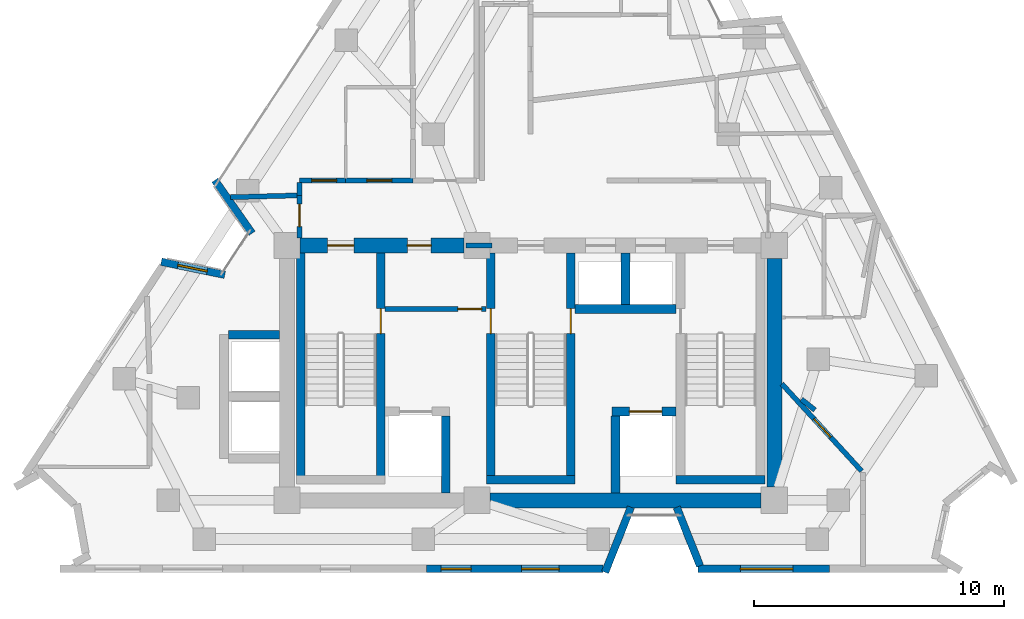
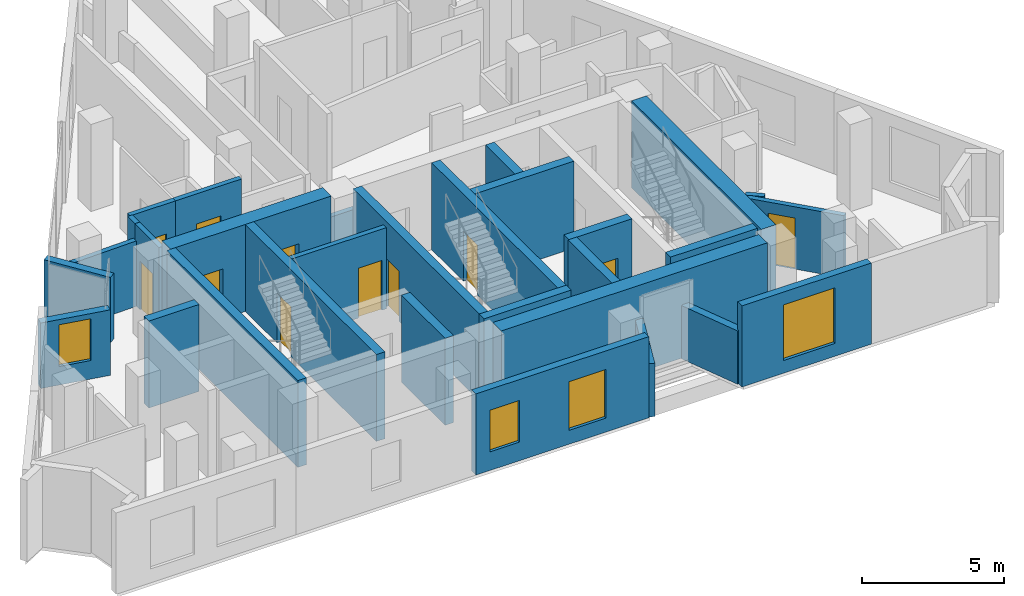
# One storey, part 5 of 9: 30 walls, 11 doors, 4 windows, 15 openings.
"""IFC4 building model written with IfcOpenShell, lengths in metres."""

import ifcopenshell
import ifcopenshell.guid

model = None  # the IFC model being written
_history = None  # IfcOwnerHistory: only IFC2X3 demands one
_inside = {}  # id of a spatial element -> (the spatial element, [elements in it])
_under = {}  # id of a project, library or spatial element -> (it, [spatial elements below it])
_declared = {}  # id of a project -> (the project, [libraries it declares])
_typed = {}  # id of a type object -> (the type object, [elements of that type])
_made_of = {}  # id of a material, layer set ... -> (it, [elements and type objects made of it])


def new_model(schema):
    """Start an empty IFC model of exactly this schema.

    Asked for "IFC4X3", IfcOpenShell would pick the latest addendum, in which some entities
    have other attributes; the version numbers below select the first issue.
    IFC2X3 requires an IfcOwnerHistory on every rooted entity: one is made here for all.
    """
    global model, _history
    if schema == "IFC4X3":
        model = ifcopenshell.file(schema_version=(4, 3, 0, 0))
    else:
        model = ifcopenshell.file(schema=schema)
    _inside.clear()
    _under.clear()
    _declared.clear()
    _typed.clear()
    _made_of.clear()
    _history = None
    if model.schema == "IFC2X3":
        org = make("IfcOrganization", Name="unknown")
        user = make(
            "IfcPersonAndOrganization",
            ThePerson=make("IfcPerson", FamilyName="unknown"),
            TheOrganization=org,
        )
        app = make(
            "IfcApplication",
            ApplicationDeveloper=org,
            Version="unknown",
            ApplicationFullName="unknown",
            ApplicationIdentifier="unknown",
        )
        _history = make(
            "IfcOwnerHistory",
            OwningUser=user,
            OwningApplication=app,
            ChangeAction="ADDED",
            CreationDate=0,
        )
    return model


def make(cls, **values):
    """One entity of the class cls with the attributes given. An attribute that is None is left unset."""
    return model.create_entity(
        cls, **{name: value for name, value in values.items() if value is not None}
    )


def rooted(cls, **values):
    """An entity with a GlobalId (a new one), such as an element, a storey or a relation."""
    return make(cls, GlobalId=ifcopenshell.guid.new(), OwnerHistory=_history, **values)


def si_unit(unit_type, name, prefix=None):
    """IfcSIUnit, for example si_unit("LENGTHUNIT", "METRE", prefix="MILLI")."""
    return make("IfcSIUnit", UnitType=unit_type, Prefix=prefix, Name=name)


def assignment(units):
    """IfcUnitAssignment: the units of a project."""
    return None if units is None else make("IfcUnitAssignment", Units=units)


def point(xyz):
    """IfcCartesianPoint."""
    return None if xyz is None else make("IfcCartesianPoint", Coordinates=xyz)


def direction(xyz):
    """IfcDirection."""
    return None if xyz is None else make("IfcDirection", DirectionRatios=xyz)


def frame(location, z_axis=None, x_axis=None):
    """IfcAxis2Placement3D, a coordinate frame: its origin and axes. An axis left out is left unset."""
    return make(
        "IfcAxis2Placement3D",
        Location=point(location),
        Axis=direction(z_axis),
        RefDirection=direction(x_axis),
    )


def frame_2d(location, x_axis=None):
    """IfcAxis2Placement2D, a coordinate frame in the plane: its origin and x axis."""
    return make(
        "IfcAxis2Placement2D", Location=point(location), RefDirection=direction(x_axis)
    )


def origin():
    """The frame at (0, 0, 0) with its axes left unset."""
    return frame((0.0, 0.0, 0.0))


def place(relative_to, where):
    """IfcLocalPlacement: puts the frame where relative to a parent placement (None: the world)."""
    return make(
        "IfcLocalPlacement", PlacementRelTo=relative_to, RelativePlacement=where
    )


def context(
    kind, dimensions, precision=None, world=None, true_north=None, identifier=None
):
    """IfcGeometricRepresentationContext, for example the 3D "Model" context."""
    return make(
        "IfcGeometricRepresentationContext",
        ContextIdentifier=identifier,
        ContextType=kind,
        CoordinateSpaceDimension=dimensions,
        Precision=precision,
        WorldCoordinateSystem=world,
        TrueNorth=true_north,
    )


def subcontext(parent, identifier, kind, view, scale=None):
    """IfcGeometricRepresentationSubContext, for example "Body" below "Model"."""
    return make(
        "IfcGeometricRepresentationSubContext",
        ContextIdentifier=identifier,
        ContextType=kind,
        ParentContext=parent,
        TargetScale=scale,
        TargetView=view,
    )


def project(units=None, contexts=None):
    """IfcProject with its units and contexts."""
    return rooted(
        "IfcProject",
        Name="project",
        RepresentationContexts=contexts,
        UnitsInContext=assignment(units),
    )


def spatial(cls, under=None, at=None, **own):
    """A site, building, storey or space (cls), placed at a placement, below another one or the project."""
    s = rooted(cls, ObjectPlacement=at, **own)
    if under is not None:
        _under.setdefault(under.id(), (under, []))[1].append(s)
    return s


def profile(cls, at=None, kind="AREA", **sizes):
    """A parametric profile (cls). Its sizes go by their IFC names, for example OverallWidth=200.0."""
    return make(cls, ProfileType=kind, Position=at, **sizes)


def rectangle(**sizes):
    """IfcRectangleProfileDef."""
    return profile("IfcRectangleProfileDef", **sizes)


def extrude(swept, where, along, depth):
    """IfcExtrudedAreaSolid: the profile swept, set in the frame where, extruded along a direction by depth."""
    return make(
        "IfcExtrudedAreaSolid",
        SweptArea=swept,
        Position=where,
        ExtrudedDirection=direction(along),
        Depth=depth,
    )


def shape(context_of_items, identifier, shape_type, items):
    """IfcShapeRepresentation: the items that make up one representation, for example the "Body"."""
    return make(
        "IfcShapeRepresentation",
        ContextOfItems=context_of_items,
        RepresentationIdentifier=identifier,
        RepresentationType=shape_type,
        Items=items,
    )


def material(Name=None, Category=None):
    """IfcMaterial."""
    return make("IfcMaterial", Name=Name, Category=Category)


def layer(
    of_material, thickness, ventilated=None, Name=None, Category=None, Priority=None
):
    """IfcMaterialLayer: one layer of a wall or slab, of a material (None: an air gap)."""
    return make(
        "IfcMaterialLayer",
        Material=of_material,
        LayerThickness=thickness,
        IsVentilated=ventilated,
        Name=Name,
        Category=Category,
        Priority=Priority,
    )


def layer_set(layers, Name=None):
    """IfcMaterialLayerSet."""
    return make("IfcMaterialLayerSet", MaterialLayers=layers, LayerSetName=Name)


def made_of(thing, what):
    """Note that an element or type object is made of a material, layer set ...; save() writes the relation."""
    if what is not None:
        _made_of.setdefault(what.id(), (what, []))[1].append(thing)
    return thing


def type_object(cls, material=None, **own):
    """A type object (cls), such as IfcWallType, which elements share."""
    return made_of(rooted(cls, **own), material)


def element(
    cls,
    number,
    at=None,
    inside=None,
    cuts=None,
    type_object=None,
    material=None,
    context=None,
    identifier="Body",
    shape_type=None,
    held_by="IfcProductDefinitionShape",
    body=None,
    shapes=None,
    **own,
):
    """One element of the class cls, such as IfcWall. Its Tag is "e" and its number.

    at: its placement. inside: the storey or other place that contains it. cuts: it is an
    opening in that element (IfcRelVoidsElement). A single representation is given by context,
    identifier, shape_type and body (its items); several are given by shapes. held_by: the class
    of the entity that holds the representations. save() writes the other relations.
    """
    e = rooted(cls, Tag="e%d" % number, ObjectPlacement=at, **own)
    if body is not None:
        shapes = [shape(context, identifier, shape_type, body)]
    if shapes is not None:
        e.Representation = make(held_by, Representations=shapes)
    if inside is not None:
        _inside.setdefault(inside.id(), (inside, []))[1].append(e)
    if cuts is not None:
        rooted(
            "IfcRelVoidsElement", RelatingBuildingElement=cuts, RelatedOpeningElement=e
        )
    if type_object is not None:
        _typed.setdefault(type_object.id(), (type_object, []))[1].append(e)
    return made_of(e, material)


def fill(opening, filler):
    """IfcRelFillsElement: the door or window that sits in an opening."""
    return rooted(
        "IfcRelFillsElement",
        RelatingOpeningElement=opening,
        RelatedBuildingElement=filler,
    )


def aggregate(whole, parts):
    """IfcRelAggregates: a whole, such as a stair, and the parts it consists of."""
    return rooted("IfcRelAggregates", RelatingObject=whole, RelatedObjects=parts)


def save(model, path):
    """Write the relations noted so far, then the file.

    IfcRelAggregates (storeys below a building ...), IfcRelContainedInSpatialStructure (elements
    in a storey), IfcRelDefinesByType, IfcRelAssociatesMaterial and IfcRelDeclares: one each for
    every whole, place, type object, material and project.
    """
    for whole, parts in _under.values():
        aggregate(whole, parts)
    for where, things in _inside.values():
        rooted(
            "IfcRelContainedInSpatialStructure",
            RelatedElements=things,
            RelatingStructure=where,
        )
    for kind, things in _typed.values():
        rooted("IfcRelDefinesByType", RelatedObjects=things, RelatingType=kind)
    for what, things in _made_of.values():
        rooted("IfcRelAssociatesMaterial", RelatedObjects=things, RelatingMaterial=what)
    for by, libraries in _declared.values():
        rooted("IfcRelDeclares", RelatingContext=by, RelatedDefinitions=libraries)
    model.write(path)


model = new_model("IFC4")

# Units and contexts
model_context = context("Model", 3, precision=1e-05, world=origin(), true_north=direction((0.0, 1.0)))
body_context = subcontext(model_context, "Body", "Model", "MODEL_VIEW")
ifc_project = project(units=[si_unit("LENGTHUNIT", "METRE"), si_unit("AREAUNIT", "SQUARE_METRE"), si_unit("VOLUMEUNIT", "CUBIC_METRE"), si_unit("PLANEANGLEUNIT", "RADIAN"), si_unit("MASSUNIT", "GRAM", prefix="KILO")], contexts=[model_context])

# Site, building, storey
site_placement = place(None, origin())
site = spatial("IfcSite", under=ifc_project, at=site_placement, CompositionType="ELEMENT")
building_placement = place(site_placement, origin())
building = spatial("IfcBuilding", under=site, at=building_placement, Name="Almagre Mirador Tower", CompositionType="ELEMENT")
storey_placement = place(building_placement, frame((0.0, 0.0, 248.25)))
storey = spatial("IfcBuildingStorey", under=building, at=storey_placement, Name="L64", CompositionType="ELEMENT", Elevation=248.25)

# Wall, opening, window
ifc_material_1 = material(Name="Precast concrete C50/60", Category="concrete")
ifc_layer_1 = layer(ifc_material_1, 0.300048828125)
ifc_layer_set_1 = layer_set([ifc_layer_1], Name="Precast concrete C50/60")
wall_type_1 = type_object("IfcWallType", Name="WAL-EXT-300", PredefinedType="SOLIDWALL", material=ifc_layer_set_1)
wall_1_placement = place(storey_placement, frame((22.52099609375, 14.09423828125, 0.0), z_axis=(0.0, 0.0, 1.0), x_axis=(0.979494216194, -0.20147228207, 0.0)))
wall_1 = element("IfcWall", 1, at=wall_1_placement, inside=storey, type_object=wall_type_1, Name="L64 expressed almagre precast frame wall 01", PredefinedType="SOLIDWALL", context=body_context, shape_type="SweptSolid", body=[
    extrude(rectangle(XDim=2.59326171875, YDim=0.300048828125, at=frame_2d((1.296630859375, 0.0))), origin(), (0.0, 0.0, 1.0), 2.824951171875),
])
opening_1_placement = place(wall_1_placement, frame((0.675048828125, 0.0, 0.800048828125)))
opening_1 = element("IfcOpeningElement", 2, at=opening_1_placement, cuts=wall_1, Name="Opening WN-04", PredefinedType="OPENING", context=body_context, shape_type="SweptSolid", body=[
    extrude(rectangle(XDim=1.199951171875, YDim=1.800048828125, at=frame_2d((0.60009765625, 0.89990234375))), frame((0.0, 0.159902, 0.0), z_axis=(0.0, -1.0, 0.0), x_axis=(1.0, 0.0, 0.0)), (0.0, 0.0, 1.0), 0.320049),
])
ifc_material_2 = material(Name="Dark solar-control laminated hurricane glass", Category="glass")
window_type_1 = type_object("IfcWindowType", Name="WIN-1200X1800", PartitioningType="SINGLE_PANEL", PredefinedType="WINDOW", material=ifc_material_2)
window_1_placement = place(opening_1_placement, origin())
window_1 = element("IfcWindow", 3, at=window_1_placement, inside=storey, type_object=window_type_1, Name="L64 recessed hurricane window L64-RST-B", OverallHeight=1.800048828125, OverallWidth=1.199951171875, PartitioningType="SINGLE_PANEL", PredefinedType="WINDOW", context=body_context, shape_type="SweptSolid", body=[
    extrude(rectangle(XDim=1.199951171875, YDim=1.800048828125, at=frame_2d((0.60009765625, 0.89990234375))), frame((0.0, 0.030029296875, 0.0), z_axis=(0.0, -1.0, 0.0), x_axis=(1.0, 0.0, 0.0)), (0.0, 0.0, 1.0), 0.06005859375),
])
fill(opening_1, window_1)

# Wall
wall_2_placement = place(storey_placement, frame((26.1513671875, 15.232421875, 0.0), z_axis=(0.0, 0.0, 1.0), x_axis=(-0.573607655321, 0.819130183644, 0.0)))
element("IfcWall", 4, at=wall_2_placement, inside=storey, type_object=wall_type_1, Name="L64 expressed almagre precast frame wall 02", PredefinedType="SOLIDWALL", context=body_context, shape_type="SweptSolid", body=[
    extrude(rectangle(XDim=2.59326171875, YDim=0.300048828125, at=frame_2d((1.296630859375, 0.0))), origin(), (0.0, 0.0, 1.0), 2.824951171875),
])

# Wall, opening, window
wall_3_placement = place(storey_placement, frame((49.263916015625, 1.800048828125, 0.0), z_axis=(0.0, 0.0, 1.0), x_axis=(-1.0, 0.0, 0.0)))
wall_3 = element("IfcWall", 5, at=wall_3_placement, inside=storey, type_object=wall_type_1, Name="L64 expressed almagre precast frame wall 21", PredefinedType="SOLIDWALL", context=body_context, shape_type="SweptSolid", body=[
    extrude(rectangle(XDim=5.27587890625, YDim=0.300048828125, at=frame_2d((2.637939453125, 0.0))), origin(), (0.0, 0.0, 1.0), 3.5),
])
opening_2_placement = place(wall_3_placement, frame((1.47509765625, 0.0, 0.550048828125)))
opening_2 = element("IfcOpeningElement", 6, at=opening_2_placement, cuts=wall_3, Name="Opening WN-05", PredefinedType="OPENING", context=body_context, shape_type="SweptSolid", body=[
    extrude(rectangle(XDim=2.10009765625, YDim=2.39990234375, at=frame_2d((1.050048828125, 1.199951171875))), frame((0.0, 0.159902, 0.0), z_axis=(0.0, -1.0, 0.0), x_axis=(1.0, 0.0, 0.0)), (0.0, 0.0, 1.0), 0.320049),
])
ifc_material_3 = material(Name="Dark solar-control laminated hurricane glass", Category="glass")
window_type_2 = type_object("IfcWindowType", Name="WIN-2100X2400", PartitioningType="DOUBLE_PANEL_VERTICAL", PredefinedType="WINDOW", material=ifc_material_3)
window_2_placement = place(opening_2_placement, origin())
window_2 = element("IfcWindow", 7, at=window_2_placement, inside=storey, type_object=window_type_2, Name="L64 recessed hurricane window L64-UC-ST", OverallHeight=2.39990234375, OverallWidth=2.10009765625, PartitioningType="SINGLE_PANEL", PredefinedType="WINDOW", context=body_context, shape_type="SweptSolid", body=[
    extrude(rectangle(XDim=2.10009765625, YDim=2.39990234375, at=frame_2d((1.050048828125, 1.199951171875))), frame((0.0, 0.030029296875, 0.0), z_axis=(0.0, -1.0, 0.0), x_axis=(1.0, 0.0, 0.0)), (0.0, 0.0, 1.0), 0.06005859375),
])
fill(opening_2, window_2)

# Walls
wall_4_placement = place(storey_placement, frame((44.078125, 1.92529296875, 0.0), z_axis=(0.0, 0.0, 1.0), x_axis=(-0.369540985735, 0.929214431583, 0.0)))
element("IfcWall", 8, at=wall_4_placement, inside=storey, type_object=wall_type_1, Name="L64 expressed almagre precast frame wall 22", PredefinedType="SOLIDWALL", context=body_context, shape_type="SweptSolid", body=[
    extrude(rectangle(XDim=2.527099609375, YDim=0.300048828125, at=frame_2d((1.263671875, 0.0))), origin(), (0.0, 0.0, 1.0), 2.300048828125),
])
wall_5_placement = place(storey_placement, frame((41.3115234375, 4.2734375, 0.0), z_axis=(0.0, 0.0, 1.0), x_axis=(-0.369466825356, -0.929243921132, 0.0)))
element("IfcWall", 9, at=wall_5_placement, inside=storey, type_object=wall_type_1, Name="L64 expressed almagre precast frame wall 23", PredefinedType="SOLIDWALL", context=body_context, shape_type="SweptSolid", body=[
    extrude(rectangle(XDim=2.8017578125, YDim=0.300048828125, at=frame_2d((1.40087890625, 0.0))), origin(), (0.0, 0.0, 1.0), 2.300048828125),
])

# Wall, openings, windows
wall_6_placement = place(storey_placement, frame((40.193115234375, 1.800048828125, 0.0), z_axis=(0.0, 0.0, 1.0), x_axis=(-1.0, 0.0, 0.0)))
wall_6 = element("IfcWall", 10, at=wall_6_placement, inside=storey, type_object=wall_type_1, Name="L64 expressed almagre precast frame wall 24", PredefinedType="SOLIDWALL", context=body_context, shape_type="SweptSolid", body=[
    extrude(rectangle(XDim=7.06103515625, YDim=0.300048828125, at=frame_2d((3.530517578125, 0.0))), origin(), (0.0, 0.0, 1.0), 3.5),
])
opening_3_placement = place(wall_6_placement, frame((5.27490234375, 0.0, 0.800048828125)))
opening_3 = element("IfcOpeningElement", 11, at=opening_3_placement, cuts=wall_6, Name="Opening WN-04", PredefinedType="OPENING", context=body_context, shape_type="SweptSolid", body=[
    extrude(rectangle(XDim=1.199951171875, YDim=1.800048828125, at=frame_2d((0.60009765625, 0.89990234375))), frame((0.0, 0.159902, 0.0), z_axis=(0.0, -1.0, 0.0), x_axis=(1.0, 0.0, 0.0)), (0.0, 0.0, 1.0), 0.320049),
])
opening_4_placement = place(wall_6_placement, frame((1.75, 0.0, 0.60009765625)))
opening_4 = element("IfcOpeningElement", 12, at=opening_4_placement, cuts=wall_6, Name="Opening WN-03", PredefinedType="OPENING", context=body_context, shape_type="SweptSolid", body=[
    extrude(rectangle(XDim=1.5, YDim=2.10009765625, at=frame_2d((0.75, 1.050048828125))), frame((0.0, 0.159902, 0.0), z_axis=(0.0, -1.0, 0.0), x_axis=(1.0, 0.0, 0.0)), (0.0, 0.0, 1.0), 0.320049),
])
window_3_placement = place(opening_3_placement, origin())
window_3 = element("IfcWindow", 13, at=window_3_placement, inside=storey, type_object=window_type_1, Name="L64 recessed hurricane window L64-RST-B", OverallHeight=1.800048828125, OverallWidth=1.199951171875, PartitioningType="SINGLE_PANEL", PredefinedType="WINDOW", context=body_context, shape_type="SweptSolid", body=[
    extrude(rectangle(XDim=1.199951171875, YDim=1.800048828125, at=frame_2d((0.60009765625, 0.89990234375))), frame((0.0, 0.030029296875, 0.0), z_axis=(0.0, -1.0, 0.0), x_axis=(1.0, 0.0, 0.0)), (0.0, 0.0, 1.0), 0.06005859375),
])
fill(opening_3, window_3)
ifc_material_4 = material(Name="Dark solar-control laminated hurricane glass", Category="glass")
window_type_3 = type_object("IfcWindowType", Name="WIN-1500X2100", PartitioningType="DOUBLE_PANEL_VERTICAL", PredefinedType="WINDOW", material=ifc_material_4)
window_4_placement = place(opening_4_placement, origin())
window_4 = element("IfcWindow", 14, at=window_4_placement, inside=storey, type_object=window_type_3, Name="L64 recessed hurricane window L64-UC-KT", OverallHeight=2.10009765625, OverallWidth=1.5, PartitioningType="SINGLE_PANEL", PredefinedType="WINDOW", context=body_context, shape_type="SweptSolid", body=[
    extrude(rectangle(XDim=1.5, YDim=2.10009765625, at=frame_2d((0.75, 1.050048828125))), frame((0.0, 0.030029296875, 0.0), z_axis=(0.0, -1.0, 0.0), x_axis=(1.0, 0.0, 0.0)), (0.0, 0.0, 1.0), 0.06005859375),
])
fill(opening_4, window_4)

# Wall
ifc_material_5 = material(Name="Gypsum acoustic stud partition", Category="other")
ifc_layer_2 = layer(ifc_material_5, 0.199951171875)
ifc_layer_set_2 = layer_set([ifc_layer_2], Name="Gypsum acoustic stud partition")
wall_type_2 = type_object("IfcWallType", Name="WAL-PRT-200-EI60", PredefinedType="PARTITIONING", material=ifc_layer_set_2)
wall_7_placement = place(storey_placement, frame((34.719970703125, 14.75, 0.0), z_axis=(0.0, 0.0, 1.0), x_axis=(1.0, 0.0, 0.0)))
element("IfcWall", 15, at=wall_7_placement, inside=storey, type_object=wall_type_2, Name="L64 core north closure wall", PredefinedType="PARTITIONING", context=body_context, shape_type="SweptSolid", body=[
    extrude(rectangle(XDim=1.030029296875, YDim=0.199951171875, at=frame_2d((0.51513671875, 0.0))), origin(), (0.0, 0.0, 1.0), 2.68505859375),
])

# Wall, opening, door
wall_8_placement = place(storey_placement, frame((31.47998046875, 12.199951171875, 0.0), z_axis=(0.0, 0.0, 1.0), x_axis=(1.0, 0.0, 0.0)))
wall_8 = element("IfcWall", 16, at=wall_8_placement, inside=storey, type_object=wall_type_2, Name="L64 FFL-1 north enclosure wall", PredefinedType="PARTITIONING", context=body_context, shape_type="SweptSolid", body=[
    extrude(rectangle(XDim=4.0400390625, YDim=0.199951171875, at=frame_2d((2.02001953125, 0.0))), origin(), (0.0, 0.0, 1.0), 3.5),
])
opening_5_placement = place(wall_8_placement, frame((2.905029296875, 0.0, 0.0)))
opening_5 = element("IfcOpeningElement", 17, at=opening_5_placement, cuts=wall_8, Name="Opening ID-02", PredefinedType="OPENING", context=body_context, shape_type="SweptSolid", body=[
    extrude(rectangle(XDim=0.949951171875, YDim=2.14990234375, at=frame_2d((0.47509765625, 1.074951171875))), frame((0.0, 0.110098, 0.0), z_axis=(0.0, -1.0, 0.0), x_axis=(1.0, 0.0, 0.0)), (0.0, 0.0, 1.0), 0.219951),
])
ifc_material_6 = material(Name="Fire-rated walnut timber", Category="wood")
door_type_1 = type_object("IfcDoorType", Name="DOR-FD60-950X2150", OperationType="NOTDEFINED", PredefinedType="DOOR", material=ifc_material_6)
door_1_placement = place(opening_5_placement, origin())
door_1 = element("IfcDoor", 18, at=door_1_placement, inside=storey, type_object=door_type_1, Name="DR-1962 L64 FFL-1 north smoke door", OperationType="SINGLE_SWING_LEFT", OverallHeight=2.14990234375, OverallWidth=0.949951171875, PredefinedType="DOOR", context=body_context, shape_type="SweptSolid", body=[
    extrude(rectangle(XDim=0.949951171875, YDim=2.14990234375, at=frame_2d((0.47509765625, 1.074951171875))), frame((0.0, 0.02490234375, 0.0), z_axis=(0.0, -1.0, 0.0), x_axis=(1.0, 0.0, 0.0)), (0.0, 0.0, 1.0), 0.050048828125),
])
fill(opening_5, door_1)

wall_9_placement = place(storey_placement, frame((28.050048828125, 16.75, 0.0), z_axis=(0.0, 0.0, 1.0), x_axis=(0.0, -1.0, 0.0)))
wall_9 = element("IfcWall", 19, at=wall_9_placement, inside=storey, type_object=wall_type_2, Name="L64 interior partition 001", PredefinedType="PARTITIONING", context=body_context, shape_type="SweptSolid", body=[
    extrude(rectangle(XDim=1.699951171875, YDim=0.199951171875, at=frame_2d((0.85009765625, 0.0))), origin(), (0.0, 0.0, 1.0), 3.5),
])
opening_6_placement = place(wall_9_placement, frame((0.347900390625, 0.0, 0.0)))
opening_6 = element("IfcOpeningElement", 20, at=opening_6_placement, cuts=wall_9, Name="Opening ID-03", PredefinedType="OPENING", context=body_context, shape_type="SweptSolid", body=[
    extrude(rectangle(XDim=0.89990234375, YDim=2.10009765625, at=frame_2d((0.449951171875, 1.050048828125))), frame((0.0, 0.110098, 0.0), z_axis=(0.0, -1.0, 0.0), x_axis=(1.0, 0.0, 0.0)), (0.0, 0.0, 1.0), 0.219951),
])
ifc_material_7 = material(Name="Fire-rated hollow steel", Category="steel")
door_type_2 = type_object("IfcDoorType", Name="DOR-FD60-900X2100", OperationType="NOTDEFINED", PredefinedType="DOOR", material=ifc_material_7)
door_2_placement = place(opening_6_placement, origin())
door_2 = element("IfcDoor", 21, at=door_2_placement, inside=storey, type_object=door_type_2, Name="DR-1967 L64 interior door L64-RCOR to L64-RST-B", OperationType="SINGLE_SWING_LEFT", OverallHeight=2.10009765625, OverallWidth=0.89990234375, PredefinedType="DOOR", context=body_context, shape_type="SweptSolid", body=[
    extrude(rectangle(XDim=0.89990234375, YDim=2.10009765625, at=frame_2d((0.449951171875, 1.050048828125))), frame((0.0, 0.02490234375, 0.0), z_axis=(0.0, -1.0, 0.0), x_axis=(1.0, 0.0, 0.0)), (0.0, 0.0, 1.0), 0.050048828125),
])
fill(opening_6, door_2)

wall_10_placement = place(storey_placement, frame((29.89990234375, 17.35009765625, 0.0), z_axis=(0.0, 0.0, 1.0), x_axis=(-1.0, 0.0, 0.0)))
wall_10 = element("IfcWall", 22, at=wall_10_placement, inside=storey, type_object=wall_type_2, Name="L64 interior partition 007", PredefinedType="PARTITIONING", context=body_context, shape_type="SweptSolid", body=[
    extrude(rectangle(XDim=1.849853515625, YDim=0.199951171875, at=frame_2d((0.9248046875, 0.0))), origin(), (0.0, 0.0, 1.0), 3.5),
])
opening_7_placement = place(wall_10_placement, frame((0.367919921875, 0.0, 0.0)))
opening_7 = element("IfcOpeningElement", 23, at=opening_7_placement, cuts=wall_10, Name="Opening ID-01", PredefinedType="OPENING", context=body_context, shape_type="SweptSolid", body=[
    extrude(rectangle(XDim=1.0, YDim=2.199951171875, at=frame_2d((0.5, 1.10009765625))), frame((0.0, 0.110098, 0.0), z_axis=(0.0, -1.0, 0.0), x_axis=(1.0, 0.0, 0.0)), (0.0, 0.0, 1.0), 0.219951),
])
ifc_material_8 = material(Name="Fire-rated walnut timber", Category="wood")
door_type_3 = type_object("IfcDoorType", Name="DOR-FD60-1000X2200", OperationType="NOTDEFINED", PredefinedType="DOOR", material=ifc_material_8)
door_3_placement = place(opening_7_placement, origin())
door_3 = element("IfcDoor", 24, at=door_3_placement, inside=storey, type_object=door_type_3, Name="DR-1973 L64 interior door L64-RCOR to L64-UG-LV", OperationType="SINGLE_SWING_LEFT", OverallHeight=2.199951171875, OverallWidth=1.0, PredefinedType="DOOR", context=body_context, shape_type="SweptSolid", body=[
    extrude(rectangle(XDim=1.0, YDim=2.199951171875, at=frame_2d((0.5, 1.10009765625))), frame((0.0, 0.02490234375, 0.0), z_axis=(0.0, -1.0, 0.0), x_axis=(1.0, 0.0, 0.0)), (0.0, 0.0, 1.0), 0.050048828125),
])
fill(opening_7, door_3)

# Wall
wall_11_placement = place(storey_placement, frame((28.050048828125, 17.264892578125, 0.0), z_axis=(0.0, 0.0, 1.0), x_axis=(0.0, -1.0, 0.0)))
element("IfcWall", 25, at=wall_11_placement, inside=storey, type_object=wall_type_2, Name="L64 interior partition 008", PredefinedType="PARTITIONING", context=body_context, shape_type="SweptSolid", body=[
    extrude(rectangle(XDim=0.514892578125, YDim=0.199951171875, at=frame_2d((0.25732421875, 0.0))), origin(), (0.0, 0.0, 1.0), 3.5),
])

# Wall, opening, door
wall_12_placement = place(storey_placement, frame((32.590087890625, 17.35009765625, 0.0), z_axis=(0.0, 0.0, 1.0), x_axis=(-1.0, 0.0, 0.0)))
wall_12 = element("IfcWall", 26, at=wall_12_placement, inside=storey, type_object=wall_type_2, Name="L64 interior partition 009", PredefinedType="PARTITIONING", context=body_context, shape_type="SweptSolid", body=[
    extrude(rectangle(XDim=2.690185546875, YDim=0.199951171875, at=frame_2d((1.34521484375, 0.0))), origin(), (0.0, 0.0, 1.0), 3.5),
])
opening_8_placement = place(wall_12_placement, frame((0.844970703125, 0.0, 0.0)))
opening_8 = element("IfcOpeningElement", 27, at=opening_8_placement, cuts=wall_12, Name="Opening ID-01", PredefinedType="OPENING", context=body_context, shape_type="SweptSolid", body=[
    extrude(rectangle(XDim=1.0, YDim=2.199951171875, at=frame_2d((0.5, 1.10009765625))), frame((0.0, 0.110098, 0.0), z_axis=(0.0, -1.0, 0.0), x_axis=(1.0, 0.0, 0.0)), (0.0, 0.0, 1.0), 0.219951),
])
door_4_placement = place(opening_8_placement, origin())
door_4 = element("IfcDoor", 28, at=door_4_placement, inside=storey, type_object=door_type_3, Name="DR-1981 L64 interior door L64-RCOR to L64-UG-B1", OperationType="SINGLE_SWING_RIGHT", OverallHeight=2.199951171875, OverallWidth=1.0, PredefinedType="DOOR", context=body_context, shape_type="SweptSolid", body=[
    extrude(rectangle(XDim=1.0, YDim=2.199951171875, at=frame_2d((0.5, 1.10009765625))), frame((0.0, 0.02490234375, 0.0), z_axis=(0.0, -1.0, 0.0), x_axis=(1.0, 0.0, 0.0)), (0.0, 0.0, 1.0), 0.050048828125),
])
fill(opening_8, door_4)

# Wall
wall_13_placement = place(storey_placement, frame((27.965087890625, 16.74853515625, 0.0), z_axis=(0.0, 0.0, 1.0), x_axis=(-0.999634238385, -0.027044212862, 0.0)))
element("IfcWall", 29, at=wall_13_placement, inside=storey, type_object=wall_type_2, Name="L64 interior partition 022", PredefinedType="PARTITIONING", context=body_context, shape_type="SweptSolid", body=[
    extrude(rectangle(XDim=2.68115234375, YDim=0.199951171875, at=frame_2d((1.340576171875, 0.0))), origin(), (0.0, 0.0, 1.0), 2.820068359375),
])

# Wall, opening, door
wall_14_placement = place(storey_placement, frame((50.54248046875, 5.72265625, 0.0), z_axis=(0.0, 0.0, 1.0), x_axis=(-0.67522874339, 0.737608394814, 0.0)))
wall_14 = element("IfcWall", 30, at=wall_14_placement, inside=storey, type_object=wall_type_2, Name="L64 interior partition 027", PredefinedType="PARTITIONING", context=body_context, shape_type="SweptSolid", body=[
    extrude(rectangle(XDim=4.727783203125, YDim=0.199951171875, at=frame_2d((2.36376953125, 0.0))), origin(), (0.0, 0.0, 1.0), 2.68505859375),
])
opening_9_placement = place(wall_14_placement, frame((1.821533203125, 0.0, 0.0)))
opening_9 = element("IfcOpeningElement", 31, at=opening_9_placement, cuts=wall_14, Name="Opening ID-01", PredefinedType="OPENING", context=body_context, shape_type="SweptSolid", body=[
    extrude(rectangle(XDim=1.0, YDim=2.199951171875, at=frame_2d((0.5, 1.10009765625))), frame((0.0, 0.110098, 0.0), z_axis=(0.0, -1.0, 0.0), x_axis=(1.0, 0.0, 0.0)), (0.0, 0.0, 1.0), 0.219951),
])
door_5_placement = place(opening_9_placement, origin())
door_5 = element("IfcDoor", 32, at=door_5_placement, inside=storey, type_object=door_type_3, Name="DR-1980 L64 interior door L64-UC-BT to L64-UE-ST", OperationType="SINGLE_SWING_LEFT", OverallHeight=2.199951171875, OverallWidth=1.0, PredefinedType="DOOR", context=body_context, shape_type="SweptSolid", body=[
    extrude(rectangle(XDim=1.0, YDim=2.199951171875, at=frame_2d((0.5, 1.10009765625))), frame((0.0, 0.02490234375, 0.0), z_axis=(0.0, -1.0, 0.0), x_axis=(1.0, 0.0, 0.0)), (0.0, 0.0, 1.0), 0.050048828125),
])
fill(opening_9, door_5)

# Walls
wall_15_placement = place(storey_placement, frame((48.674072265625, 8.1630859375, 0.0), z_axis=(0.0, 0.0, 1.0), x_axis=(-0.784016970821, 0.620739389329, 0.0)))
element("IfcWall", 33, at=wall_15_placement, inside=storey, type_object=wall_type_2, Name="L64 interior partition 066", PredefinedType="PARTITIONING", context=body_context, shape_type="SweptSolid", body=[
    extrude(rectangle(XDim=0.686279296875, YDim=0.199951171875, at=frame_2d((0.34326171875, 0.0))), origin(), (0.0, 0.0, 1.0), 2.68505859375),
])
ifc_material_9 = material(Name="Concrete C60/75", Category="concrete")
ifc_layer_3 = layer(ifc_material_9, 0.35009765625)
ifc_layer_set_3 = layer_set([ifc_layer_3], Name="Concrete C60/75")
wall_type_3 = type_object("IfcWallType", Name="WAL-SHF-350", PredefinedType="SOLIDWALL", material=ifc_layer_set_3)
wall_16_placement = place(storey_placement, frame((28.10009765625, 5.199951171875, 0.0), z_axis=(0.0, 0.0, 1.0), x_axis=(0.0, 1.0, 0.0)))
element("IfcWall", 34, at=wall_16_placement, inside=storey, type_object=wall_type_3, Name="L64 shaft wall ST1-W", PredefinedType="SOLIDWALL", context=body_context, shape_type="SweptSolid", body=[
    extrude(rectangle(XDim=9.25, YDim=0.35009765625, at=frame_2d((4.625, 0.0))), origin(), (0.0, 0.0, 1.0), 3.75),
])

# Wall, opening, door
wall_17_placement = place(storey_placement, frame((31.300048828125, 5.199951171875, 0.0), z_axis=(0.0, 0.0, 1.0), x_axis=(0.0, 1.0, 0.0)))
wall_17 = element("IfcWall", 35, at=wall_17_placement, inside=storey, type_object=wall_type_3, Name="L64 shaft wall ST1-E", PredefinedType="SOLIDWALL", context=body_context, shape_type="SweptSolid", body=[
    extrude(rectangle(XDim=9.25, YDim=0.35009765625, at=frame_2d((4.625, 0.0))), origin(), (0.0, 0.0, 1.0), 3.75),
])
opening_10_placement = place(wall_17_placement, frame((6.02001953125, 0.0, 0.0)))
opening_10 = element("IfcOpeningElement", 36, at=opening_10_placement, cuts=wall_17, Name="Opening FD-01", PredefinedType="OPENING", context=body_context, shape_type="SweptSolid", body=[
    extrude(rectangle(XDim=1.0, YDim=2.14990234375, at=frame_2d((0.5, 1.074951171875))), frame((0.0, 0.185049, 0.0), z_axis=(0.0, -1.0, 0.0), x_axis=(1.0, 0.0, 0.0)), (0.0, 0.0, 1.0), 0.370098),
])
ifc_material_10 = material(Name="Fire-rated hollow steel", Category="steel")
door_type_4 = type_object("IfcDoorType", Name="DOR-FFL-1000X2150", OperationType="NOTDEFINED", PredefinedType="DOOR", material=ifc_material_10)
door_6_placement = place(opening_10_placement, origin())
door_6 = element("IfcDoor", 37, at=door_6_placement, inside=storey, type_object=door_type_4, Name="DR-1963 L64 FFL1-ST1 smokeproof door", OperationType="SINGLE_SWING_LEFT", OverallHeight=2.14990234375, OverallWidth=1.0, PredefinedType="DOOR", context=body_context, shape_type="SweptSolid", body=[
    extrude(rectangle(XDim=1.0, YDim=2.14990234375, at=frame_2d((0.5, 1.074951171875))), frame((0.0, 0.02490234375, 0.0), z_axis=(0.0, -1.0, 0.0), x_axis=(1.0, 0.0, 0.0)), (0.0, 0.0, 1.0), 0.050048828125),
])
fill(opening_10, door_6)

wall_18_placement = place(storey_placement, frame((35.699951171875, 5.199951171875, 0.0), z_axis=(0.0, 0.0, 1.0), x_axis=(0.0, 1.0, 0.0)))
wall_18 = element("IfcWall", 38, at=wall_18_placement, inside=storey, type_object=wall_type_3, Name="L64 shaft wall ST2-W", PredefinedType="SOLIDWALL", context=body_context, shape_type="SweptSolid", body=[
    extrude(rectangle(XDim=9.25, YDim=0.35009765625, at=frame_2d((4.625, 0.0))), origin(), (0.0, 0.0, 1.0), 3.75),
])
opening_11_placement = place(wall_18_placement, frame((6.02001953125, 0.0, 0.0)))
opening_11 = element("IfcOpeningElement", 39, at=opening_11_placement, cuts=wall_18, Name="Opening FD-01", PredefinedType="OPENING", context=body_context, shape_type="SweptSolid", body=[
    extrude(rectangle(XDim=1.0, YDim=2.14990234375, at=frame_2d((0.5, 1.074951171875))), frame((0.0, 0.185049, 0.0), z_axis=(0.0, -1.0, 0.0), x_axis=(1.0, 0.0, 0.0)), (0.0, 0.0, 1.0), 0.370098),
])
door_7_placement = place(opening_11_placement, origin())
door_7 = element("IfcDoor", 40, at=door_7_placement, inside=storey, type_object=door_type_4, Name="DR-1964 L64 FFL1-ST2 smokeproof door", OperationType="SINGLE_SWING_RIGHT", OverallHeight=2.14990234375, OverallWidth=1.0, PredefinedType="DOOR", context=body_context, shape_type="SweptSolid", body=[
    extrude(rectangle(XDim=1.0, YDim=2.14990234375, at=frame_2d((0.5, 1.074951171875))), frame((0.0, 0.02490234375, 0.0), z_axis=(0.0, -1.0, 0.0), x_axis=(1.0, 0.0, 0.0)), (0.0, 0.0, 1.0), 0.050048828125),
])
fill(opening_11, door_7)

wall_19_placement = place(storey_placement, frame((38.89990234375, 5.199951171875, 0.0), z_axis=(0.0, 0.0, 1.0), x_axis=(0.0, 1.0, 0.0)))
wall_19 = element("IfcWall", 41, at=wall_19_placement, inside=storey, type_object=wall_type_3, Name="L64 shaft wall ST2-E", PredefinedType="SOLIDWALL", context=body_context, shape_type="SweptSolid", body=[
    extrude(rectangle(XDim=9.25, YDim=0.35009765625, at=frame_2d((4.625, 0.0))), origin(), (0.0, 0.0, 1.0), 3.75),
])
opening_12_placement = place(wall_19_placement, frame((6.02001953125, 0.0, 0.0)))
opening_12 = element("IfcOpeningElement", 42, at=opening_12_placement, cuts=wall_19, Name="Opening FD-01", PredefinedType="OPENING", context=body_context, shape_type="SweptSolid", body=[
    extrude(rectangle(XDim=1.0, YDim=2.14990234375, at=frame_2d((0.5, 1.074951171875))), frame((0.0, 0.185049, 0.0), z_axis=(0.0, -1.0, 0.0), x_axis=(1.0, 0.0, 0.0)), (0.0, 0.0, 1.0), 0.370098),
])
door_8_placement = place(opening_12_placement, origin())
door_8 = element("IfcDoor", 43, at=door_8_placement, inside=storey, type_object=door_type_4, Name="DR-1965 L64 FFL2-ST2 smokeproof door", OperationType="SINGLE_SWING_LEFT", OverallHeight=2.14990234375, OverallWidth=1.0, PredefinedType="DOOR", context=body_context, shape_type="SweptSolid", body=[
    extrude(rectangle(XDim=1.0, YDim=2.14990234375, at=frame_2d((0.5, 1.074951171875))), frame((0.0, 0.02490234375, 0.0), z_axis=(0.0, -1.0, 0.0), x_axis=(1.0, 0.0, 0.0)), (0.0, 0.0, 1.0), 0.050048828125),
])
fill(opening_12, door_8)

# Walls
for number, where, z_axis, x_axis, name in (
    (44, (35.52490234375, 5.375, 0.0), (0.0, 0.0, 1.0), (1.0, 0.0, 0.0), "L64 shaft wall ST2-S"),
    (45, (43.125, 5.375, 0.0), (0.0, 0.0, 1.0), (1.0, 0.0, 0.0), "L64 shaft wall ST3-S"),
):
    element("IfcWall", number, at=place(storey_placement, frame(where, z_axis=z_axis, x_axis=x_axis)), inside=storey, type_object=wall_type_3, Name=name, PredefinedType="SOLIDWALL", context=body_context, shape_type="SweptSolid", body=[
        extrude(rectangle(XDim=3.550048828125, YDim=0.35009765625, at=frame_2d((1.77490234375, 0.0))), origin(), (0.0, 0.0, 1.0), 3.75),
    ])

# Wall, opening, door
wall_20_placement = place(storey_placement, frame((40.550048828125, 8.10009765625, 0.0), z_axis=(0.0, 0.0, 1.0), x_axis=(1.0, 0.0, 0.0)))
wall_20 = element("IfcWall", 46, at=wall_20_placement, inside=storey, type_object=wall_type_3, Name="L64 shaft wall FSAE2-N", PredefinedType="SOLIDWALL", context=body_context, shape_type="SweptSolid", body=[
    extrude(rectangle(XDim=2.574951171875, YDim=0.35009765625, at=frame_2d((1.28759765625, 0.0))), origin(), (0.0, 0.0, 1.0), 3.75),
])
opening_13_placement = place(wall_20_placement, frame((0.699951171875, 0.0, 0.0)))
opening_13 = element("IfcOpeningElement", 47, at=opening_13_placement, cuts=wall_20, Name="Opening LD-03", PredefinedType="OPENING", context=body_context, shape_type="SweptSolid", body=[
    extrude(rectangle(XDim=1.300048828125, YDim=2.25, at=frame_2d((0.64990234375, 1.125))), frame((0.0, 0.185049, 0.0), z_axis=(0.0, -1.0, 0.0), x_axis=(1.0, 0.0, 0.0)), (0.0, 0.0, 1.0), 0.370098),
])
ifc_material_11 = material(Name="Hollow stainless steel", Category="steel")
door_type_5 = type_object("IfcDoorType", Name="DOR-LD-1300X2250", OperationType="DOUBLE_DOOR_SLIDING", PredefinedType="DOOR", material=ifc_material_11)
door_9_placement = place(opening_13_placement, origin())
door_9 = element("IfcDoor", 48, at=door_9_placement, inside=storey, type_object=door_type_5, Name="DR-1983 L64 FSAE-2 lift landing door", OperationType="DOUBLE_DOOR_SLIDING", OverallHeight=2.25, OverallWidth=1.300048828125, PredefinedType="DOOR", context=body_context, shape_type="SweptSolid", body=[
    extrude(rectangle(XDim=1.300048828125, YDim=2.25, at=frame_2d((0.64990234375, 1.125))), frame((0.0, 0.02490234375, 0.0), z_axis=(0.0, -1.0, 0.0), x_axis=(1.0, 0.0, 0.0)), (0.0, 0.0, 1.0), 0.050048828125),
])
fill(opening_13, door_9)

# Walls
for number, where, z_axis, x_axis, name in (
    (49, (33.89990234375, 4.85009765625, 0.0), (0.0, 0.0, 1.0), (0.0, 1.0, 0.0), "L64 shaft wall FSAE1-E"),
    (50, (40.699951171875, 4.85009765625, 0.0), (0.0, 0.0, 1.0), (0.0, 1.0, 0.0), "L64 shaft wall FSAE2-W"),
):
    element("IfcWall", number, at=place(storey_placement, frame(where, z_axis=z_axis, x_axis=x_axis)), inside=storey, type_object=wall_type_3, Name=name, PredefinedType="SOLIDWALL", context=body_context, shape_type="SweptSolid", body=[
        extrude(rectangle(XDim=3.074951171875, YDim=0.35009765625, at=frame_2d((1.53759765625, 0.0))), origin(), (0.0, 0.0, 1.0), 3.75),
    ])
wall_21_placement = place(storey_placement, frame((39.074951171875, 12.199951171875, 0.0), z_axis=(0.0, 0.0, 1.0), x_axis=(1.0, 0.0, 0.0)))
element("IfcWall", 51, at=wall_21_placement, inside=storey, type_object=wall_type_3, Name="L64 shaft wall PLH-S", PredefinedType="SOLIDWALL", context=body_context, shape_type="SweptSolid", body=[
    extrude(rectangle(XDim=4.050048828125, YDim=0.35009765625, at=frame_2d((2.02490234375, 0.0))), origin(), (0.0, 0.0, 1.0), 3.75),
])
wall_22_placement = place(storey_placement, frame((41.10009765625, 12.375, 0.0), z_axis=(0.0, 0.0, 1.0), x_axis=(0.0, 1.0, 0.0)))
element("IfcWall", 52, at=wall_22_placement, inside=storey, type_object=wall_type_3, Name="L64 shaft wall PLH-M", PredefinedType="SOLIDWALL", context=body_context, shape_type="SweptSolid", body=[
    extrude(rectangle(XDim=2.074951171875, YDim=0.35009765625, at=frame_2d((1.03759765625, 0.0))), origin(), (0.0, 0.0, 1.0), 3.75),
])
wall_23_placement = place(storey_placement, frame((25.199951171875, 11.175048828125, 0.0), z_axis=(0.0, 0.0, 1.0), x_axis=(1.0, 0.0, 0.0)))
element("IfcWall", 53, at=wall_23_placement, inside=storey, type_object=wall_type_3, Name="L64 shaft wall OL-N", PredefinedType="SOLIDWALL", context=body_context, shape_type="SweptSolid", body=[
    extrude(rectangle(XDim=2.050048828125, YDim=0.35009765625, at=frame_2d((1.02490234375, 0.0))), origin(), (0.0, 0.0, 1.0), 3.75),
])
ifc_material_12 = material(Name="Concrete C60/75", Category="concrete")
ifc_layer_4 = layer(ifc_material_12, 0.60009765625)
ifc_layer_set_4 = layer_set([ifc_layer_4], Name="Concrete C60/75")
wall_type_4 = type_object("IfcWallType", Name="WAL-SHR-600", PredefinedType="SHEAR", material=ifc_layer_set_4)
wall_24_placement = place(storey_placement, frame((35.675048828125, 4.550048828125, 0.0), z_axis=(0.0, 0.0, 1.0), x_axis=(1.0, 0.0, 0.0)))
element("IfcWall", 54, at=wall_24_placement, inside=storey, type_object=wall_type_4, Name="L64 core shear wall S2", PredefinedType="SHEAR", context=body_context, shape_type="SweptSolid", body=[
    extrude(rectangle(XDim=10.849853515625, YDim=0.60009765625, at=frame_2d((5.4248046875, 0.0))), origin(), (0.0, 0.0, 1.0), 3.75),
])

# Wall, openings, doors
wall_25_placement = place(storey_placement, frame((28.074951171875, 14.75, 0.0), z_axis=(0.0, 0.0, 1.0), x_axis=(1.0, 0.0, 0.0)))
wall_25 = element("IfcWall", 55, at=wall_25_placement, inside=storey, type_object=wall_type_4, Name="L64 core shear wall N1", PredefinedType="SHEAR", context=body_context, shape_type="SweptSolid", body=[
    extrude(rectangle(XDim=6.550048828125, YDim=0.60009765625, at=frame_2d((3.27490234375, 0.0))), origin(), (0.0, 0.0, 1.0), 3.75),
])
opening_14_placement = place(wall_25_placement, frame((1.10009765625, 0.0, 0.0)))
opening_14 = element("IfcOpeningElement", 56, at=opening_14_placement, cuts=wall_25, Name="Opening SD-01", PredefinedType="OPENING", context=body_context, shape_type="SweptSolid", body=[
    extrude(rectangle(XDim=1.050048828125, YDim=2.14990234375, at=frame_2d((0.52490234375, 1.074951171875))), frame((0.0, 0.310049, 0.0), z_axis=(0.0, -1.0, 0.0), x_axis=(1.0, 0.0, 0.0)), (0.0, 0.0, 1.0), 0.620098),
])
opening_15_placement = place(wall_25_placement, frame((4.2900390625, 0.0, 0.0)))
opening_15 = element("IfcOpeningElement", 57, at=opening_15_placement, cuts=wall_25, Name="Opening FD-02", PredefinedType="OPENING", context=body_context, shape_type="SweptSolid", body=[
    extrude(rectangle(XDim=0.949951171875, YDim=2.14990234375, at=frame_2d((0.47509765625, 1.074951171875))), frame((0.0, 0.310049, 0.0), z_axis=(0.0, -1.0, 0.0), x_axis=(1.0, 0.0, 0.0)), (0.0, 0.0, 1.0), 0.620098),
])
ifc_material_13 = material(Name="Fire-rated hollow steel", Category="steel")
door_type_6 = type_object("IfcDoorType", Name="DOR-FD90-950X2150", OperationType="NOTDEFINED", PredefinedType="DOOR", material=ifc_material_13)
door_10_placement = place(opening_15_placement, origin())
door_10 = element("IfcDoor", 58, at=door_10_placement, inside=storey, type_object=door_type_6, Name="DR-1961 L64 core equipment room north door", OperationType="SINGLE_SWING_RIGHT", OverallHeight=2.14990234375, OverallWidth=0.949951171875, PredefinedType="DOOR", context=body_context, shape_type="SweptSolid", body=[
    extrude(rectangle(XDim=0.949951171875, YDim=2.14990234375, at=frame_2d((0.47509765625, 1.074951171875))), frame((0.0, 0.02490234375, 0.0), z_axis=(0.0, -1.0, 0.0), x_axis=(1.0, 0.0, 0.0)), (0.0, 0.0, 1.0), 0.050048828125),
])
fill(opening_15, door_10)
ifc_material_14 = material(Name="Fire-rated hollow steel", Category="steel")
door_type_7 = type_object("IfcDoorType", Name="DOR-ST-1050X2150", OperationType="NOTDEFINED", PredefinedType="DOOR", material=ifc_material_14)
door_11_placement = place(opening_14_placement, origin())
door_11 = element("IfcDoor", 59, at=door_11_placement, inside=storey, type_object=door_type_7, Name="DR-1986 L64 protected exit stair ST-1 door", OperationType="SINGLE_SWING_RIGHT", OverallHeight=2.14990234375, OverallWidth=1.050048828125, PredefinedType="DOOR", context=body_context, shape_type="SweptSolid", body=[
    extrude(rectangle(XDim=1.050048828125, YDim=2.14990234375, at=frame_2d((0.52490234375, 1.074951171875))), frame((0.0, 0.02490234375, 0.0), z_axis=(0.0, -1.0, 0.0), x_axis=(1.0, 0.0, 0.0)), (0.0, 0.0, 1.0), 0.050048828125),
])
fill(opening_14, door_11)

# Wall
wall_26_placement = place(storey_placement, frame((47.050048828125, 5.074951171875, 0.0), z_axis=(0.0, 0.0, 1.0), x_axis=(0.0, 1.0, 0.0)))
element("IfcWall", 60, at=wall_26_placement, inside=storey, type_object=wall_type_4, Name="L64 core shear wall E1", PredefinedType="SHEAR", context=body_context, shape_type="SweptSolid", body=[
    extrude(rectangle(XDim=9.150146484375, YDim=0.60009765625, at=frame_2d((4.5751953125, 0.0))), origin(), (0.0, 0.0, 1.0), 3.75),
])

save(model, "model.ifc")
